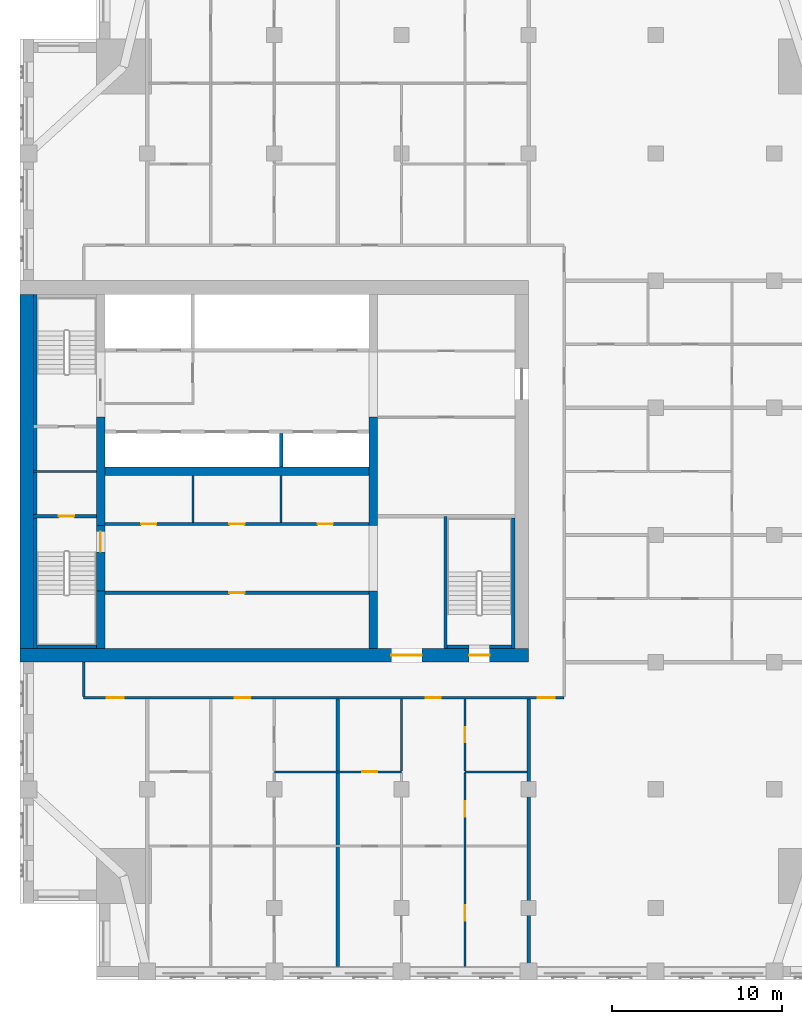
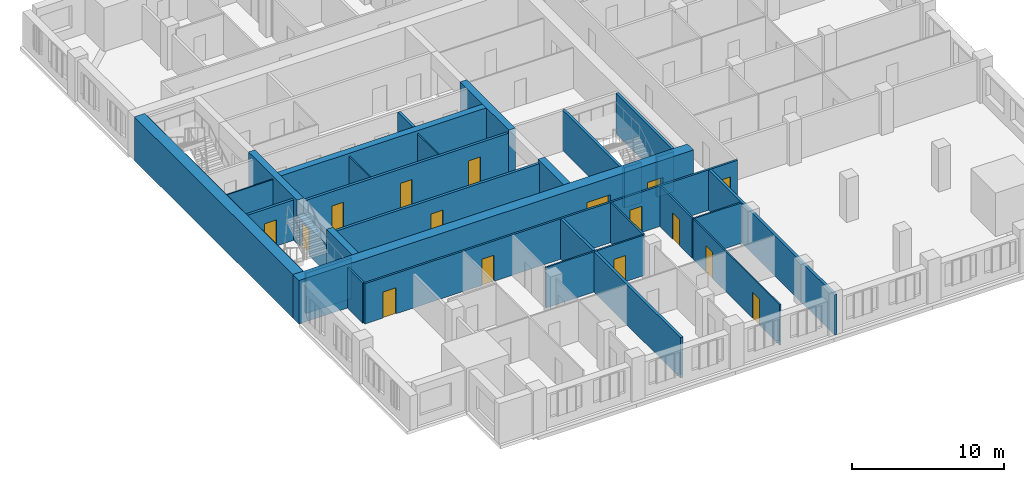
# One storey, part 7 of 14: 30 walls, 16 doors, 16 openings.
"""IFC4 building model written with IfcOpenShell, lengths in metres."""

from ifc_helpers import new_model, si_unit, direction, frame, frame_2d, origin, place, context, subcontext, project, spatial, rectangle, extrude, material, layer, layer_set, type_object, element, fill, save


model = new_model("IFC4")

# Units and contexts
model_context = context("Model", 3, precision=1e-05, world=origin(), true_north=direction((0.0, 1.0)))
body_context = subcontext(model_context, "Body", "Model", "MODEL_VIEW")
ifc_project = project(units=[si_unit("LENGTHUNIT", "METRE"), si_unit("AREAUNIT", "SQUARE_METRE"), si_unit("VOLUMEUNIT", "CUBIC_METRE"), si_unit("PLANEANGLEUNIT", "RADIAN"), si_unit("MASSUNIT", "GRAM", prefix="KILO")], contexts=[model_context])

# Site, building, storey
site_placement = place(None, origin())
site = spatial("IfcSite", under=ifc_project, at=site_placement, CompositionType="ELEMENT")
building_placement = place(site_placement, origin())
building = spatial("IfcBuilding", under=site, at=building_placement, Name="Tamorin Gate", CompositionType="ELEMENT")
storey_placement = place(building_placement, frame((0.0, 0.0, 182.699951171875)))
storey = spatial("IfcBuildingStorey", under=building, at=storey_placement, Name="L44", CompositionType="ELEMENT", Elevation=182.699951171875)

# Wall, openings, doors
ifc_material_1 = material(Name="Gypsum board partition")
ifc_layer_1 = layer(ifc_material_1, 0.14990234375)
ifc_layer_set_1 = layer_set([ifc_layer_1], Name="Corridor wall 150")
wall_type_1 = type_object("IfcWallType", Name="Corridor wall 150", PredefinedType="PARTITIONING", material=ifc_layer_set_1)
wall_1_placement = place(storey_placement, frame((33.75, 57.89990234375, 0.0), z_axis=(0.0, 0.0, 1.0), x_axis=(1.0, 0.0, 0.0)))
wall_1 = element("IfcWall", 1, at=wall_1_placement, inside=storey, type_object=wall_type_1, Name="Corridor wall 150", PredefinedType="PARTITIONING", context=body_context, shape_type="SweptSolid", body=[
    extrude(rectangle(XDim=28.35009765625, YDim=0.14990234375, at=frame_2d((14.175048828125, 0.0))), origin(), (0.0, 0.0, 1.0), 3.25),
])
opening_1_placement = place(wall_1_placement, frame((1.375, 0.0, 0.0)))
opening_1 = element("IfcOpeningElement", 2, at=opening_1_placement, cuts=wall_1, Name="Opening DR2001", PredefinedType="OPENING", context=body_context, shape_type="SweptSolid", body=[
    extrude(rectangle(XDim=1.0, YDim=2.10009765625, at=frame_2d((0.5, 1.050048828125))), frame((0.0, 0.0849609375, 0.0), z_axis=(0.0, -1.0, 0.0), x_axis=(1.0, 0.0, 0.0)), (0.0, 0.0, 1.0), 0.169921875),
])
opening_2_placement = place(wall_1_placement, frame((8.925048828125, 0.0, 0.0)))
opening_2 = element("IfcOpeningElement", 3, at=opening_2_placement, cuts=wall_1, Name="Opening DR2004", PredefinedType="OPENING", context=body_context, shape_type="SweptSolid", body=[
    extrude(rectangle(XDim=0.89990234375, YDim=2.10009765625, at=frame_2d((0.449951171875, 1.050048828125))), frame((0.0, 0.0849609375, 0.0), z_axis=(0.0, -1.0, 0.0), x_axis=(1.0, 0.0, 0.0)), (0.0, 0.0, 1.0), 0.169921875),
])
opening_3_placement = place(wall_1_placement, frame((20.175048828125, 0.0, 0.0)))
opening_3 = element("IfcOpeningElement", 4, at=opening_3_placement, cuts=wall_1, Name="Opening DR2012", PredefinedType="OPENING", context=body_context, shape_type="SweptSolid", body=[
    extrude(rectangle(XDim=0.89990234375, YDim=2.10009765625, at=frame_2d((0.449951171875, 1.050048828125))), frame((0.0, 0.0849609375, 0.0), z_axis=(0.0, -1.0, 0.0), x_axis=(1.0, 0.0, 0.0)), (0.0, 0.0, 1.0), 0.169921875),
])
opening_4_placement = place(wall_1_placement, frame((26.800048828125, 0.0, 0.0)))
opening_4 = element("IfcOpeningElement", 5, at=opening_4_placement, cuts=wall_1, Name="Opening DR2018", PredefinedType="OPENING", context=body_context, shape_type="SweptSolid", body=[
    extrude(rectangle(XDim=1.0, YDim=2.10009765625, at=frame_2d((0.5, 1.050048828125))), frame((0.0, 0.0849609375, 0.0), z_axis=(0.0, -1.0, 0.0), x_axis=(1.0, 0.0, 0.0)), (0.0, 0.0, 1.0), 0.169921875),
])
ifc_material_2 = material(Name="Timber door leaf", Category="wood")
door_type_1 = type_object("IfcDoorType", Name="Door 1000 x 2100 FD30S", OperationType="NOTDEFINED", PredefinedType="DOOR", material=ifc_material_2)
door_1_placement = place(opening_1_placement, origin())
door_1 = element("IfcDoor", 6, at=door_1_placement, inside=storey, type_object=door_type_1, Name="Door DR2001", OperationType="SINGLE_SWING_RIGHT", OverallHeight=2.10009765625, OverallWidth=1.0, PredefinedType="DOOR", context=body_context, shape_type="SweptSolid", body=[
    extrude(rectangle(XDim=1.0, YDim=2.10009765625, at=frame_2d((0.5, 1.050048828125))), frame((0.0, 0.02490234375, 0.0), z_axis=(0.0, -1.0, 0.0), x_axis=(1.0, 0.0, 0.0)), (0.0, 0.0, 1.0), 0.050048828125),
])
fill(opening_1, door_1)
door_2_placement = place(opening_4_placement, origin())
door_2 = element("IfcDoor", 7, at=door_2_placement, inside=storey, type_object=door_type_1, Name="Door DR2018", OperationType="SINGLE_SWING_RIGHT", OverallHeight=2.10009765625, OverallWidth=1.0, PredefinedType="DOOR", context=body_context, shape_type="SweptSolid", body=[
    extrude(rectangle(XDim=1.0, YDim=2.10009765625, at=frame_2d((0.5, 1.050048828125))), frame((0.0, 0.02490234375, 0.0), z_axis=(0.0, -1.0, 0.0), x_axis=(1.0, 0.0, 0.0)), (0.0, 0.0, 1.0), 0.050048828125),
])
fill(opening_4, door_2)
door_type_2 = type_object("IfcDoorType", Name="Door 900 x 2100 FD30S", OperationType="NOTDEFINED", PredefinedType="DOOR", material=ifc_material_2)
door_3_placement = place(opening_2_placement, origin())
door_3 = element("IfcDoor", 8, at=door_3_placement, inside=storey, type_object=door_type_2, Name="Door DR2004", OperationType="SINGLE_SWING_RIGHT", OverallHeight=2.10009765625, OverallWidth=0.89990234375, PredefinedType="DOOR", context=body_context, shape_type="SweptSolid", body=[
    extrude(rectangle(XDim=0.89990234375, YDim=2.10009765625, at=frame_2d((0.449951171875, 1.050048828125))), frame((0.0, 0.02490234375, 0.0), z_axis=(0.0, -1.0, 0.0), x_axis=(1.0, 0.0, 0.0)), (0.0, 0.0, 1.0), 0.050048828125),
])
fill(opening_2, door_3)
door_4_placement = place(opening_3_placement, origin())
door_4 = element("IfcDoor", 9, at=door_4_placement, inside=storey, type_object=door_type_2, Name="Door DR2012", OperationType="SINGLE_SWING_RIGHT", OverallHeight=2.10009765625, OverallWidth=0.89990234375, PredefinedType="DOOR", context=body_context, shape_type="SweptSolid", body=[
    extrude(rectangle(XDim=0.89990234375, YDim=2.10009765625, at=frame_2d((0.449951171875, 1.050048828125))), frame((0.0, 0.02490234375, 0.0), z_axis=(0.0, -1.0, 0.0), x_axis=(1.0, 0.0, 0.0)), (0.0, 0.0, 1.0), 0.050048828125),
])
fill(opening_3, door_4)

# Walls
wall_2_placement = place(storey_placement, frame((33.75, 57.97509765625, 0.0), z_axis=(0.0, 0.0, 1.0), x_axis=(0.0, 1.0, 0.0)))
element("IfcWall", 10, at=wall_2_placement, inside=storey, type_object=wall_type_1, Name="Corridor wall 150", PredefinedType="PARTITIONING", context=body_context, shape_type="SweptSolid", body=[
    extrude(rectangle(XDim=2.02490234375, YDim=0.14990234375, at=frame_2d((1.012451171875, 0.0))), origin(), (0.0, 0.0, 1.0), 3.25),
])
ifc_layer_2 = layer(ifc_material_1, 0.199951171875)
ifc_layer_set_2 = layer_set([ifc_layer_2], Name="Demising wall 200")
wall_type_2 = type_object("IfcWallType", Name="Demising wall 200", PredefinedType="PARTITIONING", material=ifc_layer_set_2)
wall_3_placement = place(storey_placement, frame((48.75, 42.06005859375, 0.0), z_axis=(0.0, 0.0, 1.0), x_axis=(0.0, 1.0, 0.0)))
element("IfcWall", 11, at=wall_3_placement, inside=storey, type_object=wall_type_2, Name="Demising wall 200", PredefinedType="PARTITIONING", context=body_context, shape_type="SweptSolid", body=[
    extrude(rectangle(XDim=15.764892578125, YDim=0.199951171875, at=frame_2d((7.88232421875, 0.0))), origin(), (0.0, 0.0, 1.0), 3.25),
])
wall_4_placement = place(storey_placement, frame((60.0, 41.25, 0.0), z_axis=(0.0, 0.0, 1.0), x_axis=(0.0, 1.0, 0.0)))
element("IfcWall", 12, at=wall_4_placement, inside=storey, type_object=wall_type_2, Name="Demising wall 200", PredefinedType="PARTITIONING", context=body_context, shape_type="SweptSolid", body=[
    extrude(rectangle(XDim=16.574951171875, YDim=0.199951171875, at=frame_2d((8.28759765625, 0.0))), origin(), (0.0, 0.0, 1.0), 3.25),
])
ifc_material_3 = material(Name="Concrete C32/40", Category="concrete")
ifc_layer_3 = layer(ifc_material_3, 0.199951171875)
ifc_layer_set_3 = layer_set([ifc_layer_3], Name="Lift shaft wall 200 EI 120")
wall_type_3 = type_object("IfcWallType", Name="Lift shaft wall 200 EI 120", PredefinedType="SOLIDWALL", material=ifc_layer_set_3)
wall_5_placement = place(storey_placement, frame((45.39990234375, 71.5, 0.0), z_axis=(0.0, 0.0, 1.0), x_axis=(0.0, 1.0, 0.0)))
element("IfcWall", 13, at=wall_5_placement, inside=storey, type_object=wall_type_3, Name="Lift shaft wall", PredefinedType="SOLIDWALL", context=body_context, shape_type="SweptSolid", body=[
    extrude(rectangle(XDim=2.0, YDim=0.199951171875, at=frame_2d((1.0, 0.0))), origin(), (0.0, 0.0, 1.0), 3.5),
])
ifc_material_4 = material(Name="Concrete C60/75", Category="concrete")
ifc_layer_4 = layer(ifc_material_4, 0.5)
ifc_layer_set_4 = layer_set([ifc_layer_4], Name="RC core internal wall 500 C60/75")
wall_type_4 = type_object("IfcWallType", Name="RC core internal wall 500 C60/75", PredefinedType="SHEAR", material=ifc_layer_set_4)
wall_6_placement = place(storey_placement, frame((35.0, 71.25, 0.0), z_axis=(0.0, 0.0, 1.0), x_axis=(1.0, 0.0, 0.0)))
element("IfcWall", 14, at=wall_6_placement, inside=storey, type_object=wall_type_4, Name="Core spine wall L44", PredefinedType="SHEAR", context=body_context, shape_type="SweptSolid", body=[
    extrude(rectangle(XDim=15.60009765625, YDim=0.5, at=frame_2d((7.800048828125, 0.0))), origin(), (0.0, 0.0, 1.0), 3.5),
])
wall_7_placement = place(storey_placement, frame((34.75, 60.800048828125, 0.0), z_axis=(0.0, 0.0, 1.0), x_axis=(0.0, 1.0, 0.0)))
element("IfcWall", 15, at=wall_7_placement, inside=storey, type_object=wall_type_4, Name="Core cross wall L44", PredefinedType="SHEAR", context=body_context, shape_type="SweptSolid", body=[
    extrude(rectangle(XDim=3.39990234375, YDim=0.5, at=frame_2d((1.699951171875, 0.0))), origin(), (0.0, 0.0, 1.0), 3.5),
])
wall_8_placement = place(storey_placement, frame((34.75, 68.050048828125, 0.0), z_axis=(0.0, 0.0, 1.0), x_axis=(0.0, 1.0, 0.0)))
element("IfcWall", 16, at=wall_8_placement, inside=storey, type_object=wall_type_4, Name="Core cross wall L44", PredefinedType="SHEAR", context=body_context, shape_type="SweptSolid", body=[
    extrude(rectangle(XDim=6.39990234375, YDim=0.5, at=frame_2d((3.199951171875, 0.0))), origin(), (0.0, 0.0, 1.0), 3.5),
])
wall_9_placement = place(storey_placement, frame((50.85009765625, 60.800048828125, 0.0), z_axis=(0.0, 0.0, 1.0), x_axis=(0.0, 1.0, 0.0)))
element("IfcWall", 17, at=wall_9_placement, inside=storey, type_object=wall_type_4, Name="Core cross wall L44", PredefinedType="SHEAR", context=body_context, shape_type="SweptSolid", body=[
    extrude(rectangle(XDim=3.39990234375, YDim=0.5, at=frame_2d((1.699951171875, 0.0))), origin(), (0.0, 0.0, 1.0), 3.5),
])
wall_10_placement = place(storey_placement, frame((50.85009765625, 68.050048828125, 0.0), z_axis=(0.0, 0.0, 1.0), x_axis=(0.0, 1.0, 0.0)))
element("IfcWall", 18, at=wall_10_placement, inside=storey, type_object=wall_type_4, Name="Core cross wall L44", PredefinedType="SHEAR", context=body_context, shape_type="SweptSolid", body=[
    extrude(rectangle(XDim=6.39990234375, YDim=0.5, at=frame_2d((3.199951171875, 0.0))), origin(), (0.0, 0.0, 1.0), 3.5),
])

# Wall, openings, doors
ifc_layer_5 = layer(ifc_material_4, 0.800048828125)
ifc_layer_set_5 = layer_set([ifc_layer_5], Name="RC core wall 800 C60/75")
wall_type_5 = type_object("IfcWallType", Name="RC core wall 800 C60/75", PredefinedType="SHEAR", material=ifc_layer_set_5)
wall_11_placement = place(storey_placement, frame((30.0, 60.39990234375, 0.0), z_axis=(0.0, 0.0, 1.0), x_axis=(1.0, 0.0, 0.0)))
wall_11 = element("IfcWall", 19, at=wall_11_placement, inside=storey, type_object=wall_type_5, Name="Core wall L44", PredefinedType="SHEAR", context=body_context, shape_type="SweptSolid", body=[
    extrude(rectangle(XDim=30.0, YDim=0.800048828125, at=frame_2d((15.0, 0.0))), origin(), (0.0, 0.0, 1.0), 3.5),
])
opening_5_placement = place(wall_11_placement, frame((21.89990234375, 0.0, 0.0)))
opening_5 = element("IfcOpeningElement", 20, at=opening_5_placement, cuts=wall_11, Name="Opening DE1", PredefinedType="OPENING", context=body_context, shape_type="SweptSolid", body=[
    extrude(rectangle(XDim=1.800048828125, YDim=2.10009765625, at=frame_2d((0.89990234375, 1.050048828125))), frame((0.0, 0.409912109375, 0.0), z_axis=(0.0, -1.0, 0.0), x_axis=(1.0, 0.0, 0.0)), (0.0, 0.0, 1.0), 0.820068359375),
])
opening_6_placement = place(wall_11_placement, frame((26.5, 0.0, 0.0)))
opening_6 = element("IfcOpeningElement", 21, at=opening_6_placement, cuts=wall_11, Name="Opening DS1", PredefinedType="OPENING", context=body_context, shape_type="SweptSolid", body=[
    extrude(rectangle(XDim=1.199951171875, YDim=2.10009765625, at=frame_2d((0.60009765625, 1.050048828125))), frame((0.0, 0.409912109375, 0.0), z_axis=(0.0, -1.0, 0.0), x_axis=(1.0, 0.0, 0.0)), (0.0, 0.0, 1.0), 0.820068359375),
])
ifc_material_5 = material(Name="Steel fire door", Category="steel")
door_type_3 = type_object("IfcDoorType", Name="Lobby exit double door 1800 x 2100 EI 60", OperationType="DOUBLE_DOOR_SINGLE_SWING", PredefinedType="DOOR", material=ifc_material_5)
door_5_placement = place(opening_5_placement, origin())
door_5 = element("IfcDoor", 22, at=door_5_placement, inside=storey, type_object=door_type_3, Name="Lift lobby A exit door", OperationType="DOUBLE_DOOR_SINGLE_SWING", OverallHeight=2.10009765625, OverallWidth=1.800048828125, PredefinedType="DOOR", context=body_context, shape_type="SweptSolid", body=[
    extrude(rectangle(XDim=1.800048828125, YDim=2.10009765625, at=frame_2d((0.89990234375, 1.050048828125))), frame((0.0, 0.02490234375, 0.0), z_axis=(0.0, -1.0, 0.0), x_axis=(1.0, 0.0, 0.0)), (0.0, 0.0, 1.0), 0.050048828125),
])
fill(opening_5, door_5)
door_type_4 = type_object("IfcDoorType", Name="Stair door 1200 x 2100 EI 90", OperationType="SINGLE_SWING_LEFT", PredefinedType="DOOR", material=ifc_material_5)
door_6_placement = place(opening_6_placement, origin())
door_6 = element("IfcDoor", 23, at=door_6_placement, inside=storey, type_object=door_type_4, Name="ST3 door", OperationType="SINGLE_SWING_LEFT", OverallHeight=2.10009765625, OverallWidth=1.199951171875, PredefinedType="DOOR", context=body_context, shape_type="SweptSolid", body=[
    extrude(rectangle(XDim=1.199951171875, YDim=2.10009765625, at=frame_2d((0.60009765625, 1.050048828125))), frame((0.0, 0.02490234375, 0.0), z_axis=(0.0, -1.0, 0.0), x_axis=(1.0, 0.0, 0.0)), (0.0, 0.0, 1.0), 0.050048828125),
])
fill(opening_6, door_6)

# Walls
wall_12_placement = place(storey_placement, frame((30.39990234375, 60.800048828125, 0.0), z_axis=(0.0, 0.0, 1.0), x_axis=(0.0, 1.0, 0.0)))
element("IfcWall", 24, at=wall_12_placement, inside=storey, type_object=wall_type_5, Name="Core wall L44", PredefinedType="SHEAR", context=body_context, shape_type="SweptSolid", body=[
    extrude(rectangle(XDim=20.89990234375, YDim=0.800048828125, at=frame_2d((10.449951171875, 0.0))), origin(), (0.0, 0.0, 1.0), 3.5),
])
ifc_material_6 = material(Name="Fire-rated gypsum board partition")
ifc_layer_6 = layer(ifc_material_6, 0.10009765625)
ifc_layer_set_6 = layer_set([ifc_layer_6], Name="Riser partition 100 EI 120")
wall_type_6 = type_object("IfcWallType", Name="Riser partition 100 EI 120", PredefinedType="PARTITIONING", material=ifc_layer_set_6)
wall_13_placement = place(storey_placement, frame((30.800048828125, 71.25, 0.0), z_axis=(0.0, 0.0, 1.0), x_axis=(1.0, 0.0, 0.0)))
element("IfcWall", 25, at=wall_13_placement, inside=storey, type_object=wall_type_6, Name="Riser partition", PredefinedType="PARTITIONING", context=body_context, shape_type="SweptSolid", body=[
    extrude(rectangle(XDim=3.699951171875, YDim=0.10009765625, at=frame_2d((1.85009765625, 0.0))), origin(), (0.0, 0.0, 1.0), 3.25),
])

# Wall, openings, doors
ifc_layer_7 = layer(ifc_material_1, 0.10009765625)
ifc_layer_set_7 = layer_set([ifc_layer_7], Name="Room partition 100")
wall_type_7 = type_object("IfcWallType", Name="Room partition 100", PredefinedType="PARTITIONING", material=ifc_layer_set_7)
wall_14_placement = place(storey_placement, frame((56.25, 42.06005859375, 0.0), z_axis=(0.0, 0.0, 1.0), x_axis=(0.0, 1.0, 0.0)))
wall_14 = element("IfcWall", 26, at=wall_14_placement, inside=storey, type_object=wall_type_7, Name="Room partition 100", PredefinedType="PARTITIONING", context=body_context, shape_type="SweptSolid", body=[
    extrude(rectangle(XDim=11.40234375, YDim=0.10009765625, at=frame_2d((5.701171875, 0.0))), origin(), (0.0, 0.0, 1.0), 3.25),
])
opening_7_placement = place(wall_14_placement, frame((8.827392578125, 0.0, 0.0)))
opening_7 = element("IfcOpeningElement", 27, at=opening_7_placement, cuts=wall_14, Name="Opening DR2014", PredefinedType="OPENING", context=body_context, shape_type="SweptSolid", body=[
    extrude(rectangle(XDim=0.89990234375, YDim=2.10009765625, at=frame_2d((0.449951171875, 1.050048828125))), frame((0.0, 0.06005859375, 0.0), z_axis=(0.0, -1.0, 0.0), x_axis=(1.0, 0.0, 0.0)), (0.0, 0.0, 1.0), 0.1201171875),
])
opening_8_placement = place(wall_14_placement, frame((2.68994140625, 0.0, 0.0)))
opening_8 = element("IfcOpeningElement", 28, at=opening_8_placement, cuts=wall_14, Name="Opening DR2017", PredefinedType="OPENING", context=body_context, shape_type="SweptSolid", body=[
    extrude(rectangle(XDim=0.89990234375, YDim=2.10009765625, at=frame_2d((0.449951171875, 1.050048828125))), frame((0.0, 0.06005859375, 0.0), z_axis=(0.0, -1.0, 0.0), x_axis=(1.0, 0.0, 0.0)), (0.0, 0.0, 1.0), 0.1201171875),
])
door_type_5 = type_object("IfcDoorType", Name="Door 900 x 2100", OperationType="NOTDEFINED", PredefinedType="DOOR", material=ifc_material_2)
door_7_placement = place(opening_7_placement, origin())
door_7 = element("IfcDoor", 29, at=door_7_placement, inside=storey, type_object=door_type_5, Name="Door DR2014", OperationType="SINGLE_SWING_RIGHT", OverallHeight=2.10009765625, OverallWidth=0.89990234375, PredefinedType="DOOR", context=body_context, shape_type="SweptSolid", body=[
    extrude(rectangle(XDim=0.89990234375, YDim=2.10009765625, at=frame_2d((0.449951171875, 1.050048828125))), frame((0.0, 0.02490234375, 0.0), z_axis=(0.0, -1.0, 0.0), x_axis=(1.0, 0.0, 0.0)), (0.0, 0.0, 1.0), 0.050048828125),
])
fill(opening_7, door_7)
door_8_placement = place(opening_8_placement, origin())
door_8 = element("IfcDoor", 30, at=door_8_placement, inside=storey, type_object=door_type_5, Name="Door DR2017", OperationType="SINGLE_SWING_LEFT", OverallHeight=2.10009765625, OverallWidth=0.89990234375, PredefinedType="DOOR", context=body_context, shape_type="SweptSolid", body=[
    extrude(rectangle(XDim=0.89990234375, YDim=2.10009765625, at=frame_2d((0.449951171875, 1.050048828125))), frame((0.0, 0.02490234375, 0.0), z_axis=(0.0, -1.0, 0.0), x_axis=(1.0, 0.0, 0.0)), (0.0, 0.0, 1.0), 0.050048828125),
])
fill(opening_8, door_8)

# Wall, opening, door
ifc_layer_8 = layer(ifc_material_1, 0.199951171875)
ifc_layer_set_8 = layer_set([ifc_layer_8], Name="Service room face wall 200 EI 60")
wall_type_8 = type_object("IfcWallType", Name="Service room face wall 200 EI 60", PredefinedType="PARTITIONING", material=ifc_layer_set_8)
wall_15_placement = place(storey_placement, frame((35.0, 64.10009765625, 0.0), z_axis=(0.0, 0.0, 1.0), x_axis=(1.0, 0.0, 0.0)))
wall_15 = element("IfcWall", 31, at=wall_15_placement, inside=storey, type_object=wall_type_8, Name="Service room face wall", PredefinedType="PARTITIONING", context=body_context, shape_type="SweptSolid", body=[
    extrude(rectangle(XDim=15.60009765625, YDim=0.199951171875, at=frame_2d((7.800048828125, 0.0))), origin(), (0.0, 0.0, 1.0), 3.25),
])
opening_9_placement = place(wall_15_placement, frame((7.35009765625, 0.0, 0.0)))
opening_9 = element("IfcOpeningElement", 32, at=opening_9_placement, cuts=wall_15, Name="Opening DK1", PredefinedType="OPENING", context=body_context, shape_type="SweptSolid", body=[
    extrude(rectangle(XDim=0.89990234375, YDim=2.10009765625, at=frame_2d((0.449951171875, 1.050048828125))), frame((0.0, 0.10986328125, 0.0), z_axis=(0.0, -1.0, 0.0), x_axis=(1.0, 0.0, 0.0)), (0.0, 0.0, 1.0), 0.219970703125),
])
ifc_material_7 = material(Name="Timber fire door", Category="wood")
door_type_6 = type_object("IfcDoorType", Name="Service room door 900 x 2100 EI 60", OperationType="SINGLE_SWING_LEFT", PredefinedType="DOOR", material=ifc_material_7)
door_9_placement = place(opening_9_placement, origin())
door_9 = element("IfcDoor", 33, at=door_9_placement, inside=storey, type_object=door_type_6, Name="Door Resident storage room", OperationType="SINGLE_SWING_RIGHT", OverallHeight=2.10009765625, OverallWidth=0.89990234375, PredefinedType="DOOR", context=body_context, shape_type="SweptSolid", body=[
    extrude(rectangle(XDim=0.89990234375, YDim=2.10009765625, at=frame_2d((0.449951171875, 1.050048828125))), frame((0.0, 0.02490234375, 0.0), z_axis=(0.0, -1.0, 0.0), x_axis=(1.0, 0.0, 0.0)), (0.0, 0.0, 1.0), 0.050048828125),
])
fill(opening_9, door_9)

# Wall, openings, doors
wall_16_placement = place(storey_placement, frame((35.0, 68.14990234375, 0.0), z_axis=(0.0, 0.0, 1.0), x_axis=(1.0, 0.0, 0.0)))
wall_16 = element("IfcWall", 34, at=wall_16_placement, inside=storey, type_object=wall_type_8, Name="Service room face wall", PredefinedType="PARTITIONING", context=body_context, shape_type="SweptSolid", body=[
    extrude(rectangle(XDim=15.60009765625, YDim=0.199951171875, at=frame_2d((7.800048828125, 0.0))), origin(), (0.0, 0.0, 1.0), 3.25),
])
opening_10_placement = place(wall_16_placement, frame((2.14990234375, 0.0, 0.0)))
opening_10 = element("IfcOpeningElement", 35, at=opening_10_placement, cuts=wall_16, Name="Opening DK1", PredefinedType="OPENING", context=body_context, shape_type="SweptSolid", body=[
    extrude(rectangle(XDim=0.89990234375, YDim=2.10009765625, at=frame_2d((0.449951171875, 1.050048828125))), frame((0.0, 0.10986328125, 0.0), z_axis=(0.0, -1.0, 0.0), x_axis=(1.0, 0.0, 0.0)), (0.0, 0.0, 1.0), 0.219970703125),
])
opening_11_placement = place(wall_16_placement, frame((7.35009765625, 0.0, 0.0)))
opening_11 = element("IfcOpeningElement", 36, at=opening_11_placement, cuts=wall_16, Name="Opening DK1", PredefinedType="OPENING", context=body_context, shape_type="SweptSolid", body=[
    extrude(rectangle(XDim=0.89990234375, YDim=2.10009765625, at=frame_2d((0.449951171875, 1.050048828125))), frame((0.0, 0.10986328125, 0.0), z_axis=(0.0, -1.0, 0.0), x_axis=(1.0, 0.0, 0.0)), (0.0, 0.0, 1.0), 0.219970703125),
])
opening_12_placement = place(wall_16_placement, frame((12.550048828125, 0.0, 0.0)))
opening_12 = element("IfcOpeningElement", 37, at=opening_12_placement, cuts=wall_16, Name="Opening DK1", PredefinedType="OPENING", context=body_context, shape_type="SweptSolid", body=[
    extrude(rectangle(XDim=0.89990234375, YDim=2.10009765625, at=frame_2d((0.449951171875, 1.050048828125))), frame((0.0, 0.10986328125, 0.0), z_axis=(0.0, -1.0, 0.0), x_axis=(1.0, 0.0, 0.0)), (0.0, 0.0, 1.0), 0.219970703125),
])
door_10_placement = place(opening_10_placement, origin())
door_10 = element("IfcDoor", 38, at=door_10_placement, inside=storey, type_object=door_type_6, Name="Door Cleaner's store", OperationType="SINGLE_SWING_RIGHT", OverallHeight=2.10009765625, OverallWidth=0.89990234375, PredefinedType="DOOR", context=body_context, shape_type="SweptSolid", body=[
    extrude(rectangle(XDim=0.89990234375, YDim=2.10009765625, at=frame_2d((0.449951171875, 1.050048828125))), frame((0.0, 0.02490234375, 0.0), z_axis=(0.0, -1.0, 0.0), x_axis=(1.0, 0.0, 0.0)), (0.0, 0.0, 1.0), 0.050048828125),
])
fill(opening_10, door_10)
door_11_placement = place(opening_11_placement, origin())
door_11 = element("IfcDoor", 39, at=door_11_placement, inside=storey, type_object=door_type_6, Name="Door Pantry", OperationType="SINGLE_SWING_LEFT", OverallHeight=2.10009765625, OverallWidth=0.89990234375, PredefinedType="DOOR", context=body_context, shape_type="SweptSolid", body=[
    extrude(rectangle(XDim=0.89990234375, YDim=2.10009765625, at=frame_2d((0.449951171875, 1.050048828125))), frame((0.0, 0.02490234375, 0.0), z_axis=(0.0, -1.0, 0.0), x_axis=(1.0, 0.0, 0.0)), (0.0, 0.0, 1.0), 0.050048828125),
])
fill(opening_11, door_11)
door_12_placement = place(opening_12_placement, origin())
door_12 = element("IfcDoor", 40, at=door_12_placement, inside=storey, type_object=door_type_6, Name="Door IT room", OperationType="SINGLE_SWING_RIGHT", OverallHeight=2.10009765625, OverallWidth=0.89990234375, PredefinedType="DOOR", context=body_context, shape_type="SweptSolid", body=[
    extrude(rectangle(XDim=0.89990234375, YDim=2.10009765625, at=frame_2d((0.449951171875, 1.050048828125))), frame((0.0, 0.02490234375, 0.0), z_axis=(0.0, -1.0, 0.0), x_axis=(1.0, 0.0, 0.0)), (0.0, 0.0, 1.0), 0.050048828125),
])
fill(opening_12, door_12)

# Walls
ifc_layer_9 = layer(ifc_material_1, 0.10009765625)
ifc_layer_set_9 = layer_set([ifc_layer_9], Name="Service room partition 100 EI 60")
wall_type_9 = type_object("IfcWallType", Name="Service room partition 100 EI 60", PredefinedType="PARTITIONING", material=ifc_layer_set_9)
for number, where, z_axis, x_axis, name in (
    (41, (40.199951171875, 68.25, 0.0), (0.0, 0.0, 1.0), (0.0, 1.0, 0.0), "Service room partition"),
    (42, (45.39990234375, 68.25, 0.0), (0.0, 0.0, 1.0), (0.0, 1.0, 0.0), "Service room partition"),
):
    element("IfcWall", number, at=place(storey_placement, frame(where, z_axis=z_axis, x_axis=x_axis)), inside=storey, type_object=wall_type_9, Name=name, PredefinedType="PARTITIONING", context=body_context, shape_type="SweptSolid", body=[
        extrude(rectangle(XDim=2.75, YDim=0.10009765625, at=frame_2d((1.375, 0.0))), origin(), (0.0, 0.0, 1.0), 3.25),
    ])

# Wall, opening, door
ifc_material_8 = material(Name="Concrete C40/50", Category="concrete")
ifc_layer_10 = layer(ifc_material_8, 0.199951171875)
ifc_layer_set_10 = layer_set([ifc_layer_10], Name="Stair enclosure wall 200 EI 120 C40/50")
wall_type_10 = type_object("IfcWallType", Name="Stair enclosure wall 200 EI 120 C40/50", PredefinedType="SOLIDWALL", material=ifc_layer_set_10)
wall_17_placement = place(storey_placement, frame((30.800048828125, 68.60009765625, 0.0), z_axis=(0.0, 0.0, 1.0), x_axis=(1.0, 0.0, 0.0)))
wall_17 = element("IfcWall", 43, at=wall_17_placement, inside=storey, type_object=wall_type_10, Name="Stair enclosure wall", PredefinedType="SOLIDWALL", context=body_context, shape_type="SweptSolid", body=[
    extrude(rectangle(XDim=3.699951171875, YDim=0.199951171875, at=frame_2d((1.85009765625, 0.0))), origin(), (0.0, 0.0, 1.0), 3.25),
])
opening_13_placement = place(wall_17_placement, frame((1.5, 0.0, 0.0)))
opening_13 = element("IfcOpeningElement", 44, at=opening_13_placement, cuts=wall_17, Name="Opening DR1", PredefinedType="OPENING", context=body_context, shape_type="SweptSolid", body=[
    extrude(rectangle(XDim=0.89990234375, YDim=2.10009765625, at=frame_2d((0.449951171875, 1.050048828125))), frame((0.0, 0.10986328125, 0.0), z_axis=(0.0, -1.0, 0.0), x_axis=(1.0, 0.0, 0.0)), (0.0, 0.0, 1.0), 0.219970703125),
])
door_type_7 = type_object("IfcDoorType", Name="Riser access door 900 x 2100 EI 120", OperationType="SINGLE_SWING_LEFT", PredefinedType="DOOR", material=ifc_material_5)
door_13_placement = place(opening_13_placement, origin())
door_13 = element("IfcDoor", 45, at=door_13_placement, inside=storey, type_object=door_type_7, Name="Electrical riser door", OperationType="SINGLE_SWING_LEFT", OverallHeight=2.10009765625, OverallWidth=0.89990234375, PredefinedType="DOOR", context=body_context, shape_type="SweptSolid", body=[
    extrude(rectangle(XDim=0.89990234375, YDim=2.10009765625, at=frame_2d((0.449951171875, 1.050048828125))), frame((0.0, 0.02490234375, 0.0), z_axis=(0.0, -1.0, 0.0), x_axis=(1.0, 0.0, 0.0)), (0.0, 0.0, 1.0), 0.050048828125),
])
fill(opening_13, door_13)

# Walls
wall_18_placement = place(storey_placement, frame((55.10009765625, 60.800048828125, 0.0), z_axis=(0.0, 0.0, 1.0), x_axis=(0.0, 1.0, 0.0)))
element("IfcWall", 46, at=wall_18_placement, inside=storey, type_object=wall_type_10, Name="Stair enclosure wall", PredefinedType="SOLIDWALL", context=body_context, shape_type="SweptSolid", body=[
    extrude(rectangle(XDim=7.800048828125, YDim=0.199951171875, at=frame_2d((3.89990234375, 0.0))), origin(), (0.0, 0.0, 1.0), 3.25),
])
ifc_layer_11 = layer(ifc_material_4, 0.199951171875)
ifc_layer_set_11 = layer_set([ifc_layer_11], Name="Stair lining wall 200 EI 120 C60/75")
wall_type_11 = type_object("IfcWallType", Name="Stair lining wall 200 EI 120 C60/75", PredefinedType="SOLIDWALL", material=ifc_layer_set_11)
wall_19_placement = place(storey_placement, frame((30.89990234375, 60.800048828125, 0.0), z_axis=(0.0, 0.0, 1.0), x_axis=(0.0, 1.0, 0.0)))
element("IfcWall", 47, at=wall_19_placement, inside=storey, type_object=wall_type_11, Name="Stair lining wall", PredefinedType="SOLIDWALL", context=body_context, shape_type="SweptSolid", body=[
    extrude(rectangle(XDim=20.89990234375, YDim=0.199951171875, at=frame_2d((10.449951171875, 0.0))), origin(), (0.0, 0.0, 1.0), 3.25),
])
wall_20_placement = place(storey_placement, frame((31.0, 60.89990234375, 0.0), z_axis=(0.0, 0.0, 1.0), x_axis=(1.0, 0.0, 0.0)))
element("IfcWall", 48, at=wall_20_placement, inside=storey, type_object=wall_type_11, Name="Stair lining wall", PredefinedType="SOLIDWALL", context=body_context, shape_type="SweptSolid", body=[
    extrude(rectangle(XDim=3.5, YDim=0.199951171875, at=frame_2d((1.75, 0.0))), origin(), (0.0, 0.0, 1.0), 3.25),
])
for number, where, z_axis, x_axis, name in (
    (49, (55.199951171875, 60.89990234375, 0.0), (0.0, 0.0, 1.0), (1.0, 0.0, 0.0), "Stair lining wall"),
    (50, (57.699951171875, 60.89990234375, 0.0), (0.0, 0.0, 1.0), (1.0, 0.0, 0.0), "Stair lining wall"),
):
    element("IfcWall", number, at=place(storey_placement, frame(where, z_axis=z_axis, x_axis=x_axis)), inside=storey, type_object=wall_type_11, Name=name, PredefinedType="SOLIDWALL", context=body_context, shape_type="SweptSolid", body=[
        extrude(rectangle(XDim=1.300048828125, YDim=0.199951171875, at=frame_2d((0.64990234375, 0.0))), origin(), (0.0, 0.0, 1.0), 3.25),
    ])
wall_21_placement = place(storey_placement, frame((59.10009765625, 60.800048828125, 0.0), z_axis=(0.0, 0.0, 1.0), x_axis=(0.0, 1.0, 0.0)))
element("IfcWall", 51, at=wall_21_placement, inside=storey, type_object=wall_type_11, Name="Stair lining wall", PredefinedType="SOLIDWALL", context=body_context, shape_type="SweptSolid", body=[
    extrude(rectangle(XDim=7.699951171875, YDim=0.199951171875, at=frame_2d((3.85009765625, 0.0))), origin(), (0.0, 0.0, 1.0), 3.25),
])

# Wall, opening, door
ifc_layer_12 = layer(ifc_material_3, 0.5)
ifc_layer_set_12 = layer_set([ifc_layer_12], Name="Stair lobby infill wall 500 EI 120")
wall_type_12 = type_object("IfcWallType", Name="Stair lobby infill wall 500 EI 120", PredefinedType="SOLIDWALL", material=ifc_layer_set_12)
wall_22_placement = place(storey_placement, frame((34.75, 64.199951171875, 0.0), z_axis=(0.0, 0.0, 1.0), x_axis=(0.0, 1.0, 0.0)))
wall_22 = element("IfcWall", 52, at=wall_22_placement, inside=storey, type_object=wall_type_12, Name="Stair lobby infill wall", PredefinedType="SOLIDWALL", context=body_context, shape_type="SweptSolid", body=[
    extrude(rectangle(XDim=3.85009765625, YDim=0.5, at=frame_2d((1.925048828125, 0.0))), origin(), (0.0, 0.0, 1.0), 2.300048828125),
])
opening_14_placement = place(wall_22_placement, frame((2.300048828125, 0.0, 0.0)))
opening_14 = element("IfcOpeningElement", 53, at=opening_14_placement, cuts=wall_22, Name="Opening DS1", PredefinedType="OPENING", context=body_context, shape_type="SweptSolid", body=[
    extrude(rectangle(XDim=1.199951171875, YDim=2.10009765625, at=frame_2d((0.60009765625, 1.050048828125))), frame((0.0, 0.260009765625, 0.0), z_axis=(0.0, -1.0, 0.0), x_axis=(1.0, 0.0, 0.0)), (0.0, 0.0, 1.0), 0.52001953125),
])
door_14_placement = place(opening_14_placement, origin())
door_14 = element("IfcDoor", 54, at=door_14_placement, inside=storey, type_object=door_type_4, Name="ST1 door", OperationType="SINGLE_SWING_LEFT", OverallHeight=2.10009765625, OverallWidth=1.199951171875, PredefinedType="DOOR", context=body_context, shape_type="SweptSolid", body=[
    extrude(rectangle(XDim=1.199951171875, YDim=2.10009765625, at=frame_2d((0.60009765625, 1.050048828125))), frame((0.0, 0.02490234375, 0.0), z_axis=(0.0, -1.0, 0.0), x_axis=(1.0, 0.0, 0.0)), (0.0, 0.0, 1.0), 0.050048828125),
])
fill(opening_14, door_14)

ifc_layer_13 = layer(ifc_material_1, 0.125)
ifc_layer_set_13 = layer_set([ifc_layer_13], Name="Wet wall 125")
wall_type_13 = type_object("IfcWallType", Name="Wet wall 125", PredefinedType="PARTITIONING", material=ifc_layer_set_13)
wall_23_placement = place(storey_placement, frame((45.0, 53.52490234375, 0.0), z_axis=(0.0, 0.0, 1.0), x_axis=(1.0, 0.0, 0.0)))
wall_23 = element("IfcWall", 55, at=wall_23_placement, inside=storey, type_object=wall_type_13, Name="Wet wall 125", PredefinedType="PARTITIONING", context=body_context, shape_type="SweptSolid", body=[
    extrude(rectangle(XDim=7.5, YDim=0.125, at=frame_2d((3.75, 0.0))), origin(), (0.0, 0.0, 1.0), 3.25),
])
opening_15_placement = place(wall_23_placement, frame((5.175048828125, 0.0, 0.0)))
opening_15 = element("IfcOpeningElement", 56, at=opening_15_placement, cuts=wall_23, Name="Opening DR2011", PredefinedType="OPENING", context=body_context, shape_type="SweptSolid", body=[
    extrude(rectangle(XDim=0.89990234375, YDim=2.10009765625, at=frame_2d((0.449951171875, 1.050048828125))), frame((0.0, 0.072509765625, 0.0), z_axis=(0.0, -1.0, 0.0), x_axis=(1.0, 0.0, 0.0)), (0.0, 0.0, 1.0), 0.14501953125),
])
door_15_placement = place(opening_15_placement, origin())
door_15 = element("IfcDoor", 57, at=door_15_placement, inside=storey, type_object=door_type_5, Name="Door DR2011", OperationType="SINGLE_SWING_LEFT", OverallHeight=2.10009765625, OverallWidth=0.89990234375, PredefinedType="DOOR", context=body_context, shape_type="SweptSolid", body=[
    extrude(rectangle(XDim=0.89990234375, YDim=2.10009765625, at=frame_2d((0.449951171875, 1.050048828125))), frame((0.0, 0.02490234375, 0.0), z_axis=(0.0, -1.0, 0.0), x_axis=(1.0, 0.0, 0.0)), (0.0, 0.0, 1.0), 0.050048828125),
])
fill(opening_15, door_15)

# Walls
wall_24_placement = place(storey_placement, frame((56.25, 53.52490234375, 0.0), z_axis=(0.0, 0.0, 1.0), x_axis=(1.0, 0.0, 0.0)))
element("IfcWall", 58, at=wall_24_placement, inside=storey, type_object=wall_type_13, Name="Wet wall 125", PredefinedType="PARTITIONING", context=body_context, shape_type="SweptSolid", body=[
    extrude(rectangle(XDim=3.64990234375, YDim=0.125, at=frame_2d((1.824951171875, 0.0))), origin(), (0.0, 0.0, 1.0), 3.25),
])
wall_25_placement = place(storey_placement, frame((52.5, 53.58740234375, 0.0), z_axis=(0.0, 0.0, 1.0), x_axis=(0.0, 1.0, 0.0)))
element("IfcWall", 59, at=wall_25_placement, inside=storey, type_object=wall_type_13, Name="Wet wall 125", PredefinedType="PARTITIONING", context=body_context, shape_type="SweptSolid", body=[
    extrude(rectangle(XDim=4.237548828125, YDim=0.125, at=frame_2d((2.11865234375, 0.0))), origin(), (0.0, 0.0, 1.0), 3.25),
])

# Wall, opening, door
wall_26_placement = place(storey_placement, frame((56.25, 53.58740234375, 0.0), z_axis=(0.0, 0.0, 1.0), x_axis=(0.0, 1.0, 0.0)))
wall_26 = element("IfcWall", 60, at=wall_26_placement, inside=storey, type_object=wall_type_13, Name="Wet wall 125", PredefinedType="PARTITIONING", context=body_context, shape_type="SweptSolid", body=[
    extrude(rectangle(XDim=4.237548828125, YDim=0.125, at=frame_2d((2.11865234375, 0.0))), origin(), (0.0, 0.0, 1.0), 3.25),
])
opening_16_placement = place(wall_26_placement, frame((1.675048828125, 0.0, 0.0)))
opening_16 = element("IfcOpeningElement", 61, at=opening_16_placement, cuts=wall_26, Name="Opening DR2015", PredefinedType="OPENING", context=body_context, shape_type="SweptSolid", body=[
    extrude(rectangle(XDim=0.89990234375, YDim=2.10009765625, at=frame_2d((0.449951171875, 1.050048828125))), frame((0.0, 0.072509765625, 0.0), z_axis=(0.0, -1.0, 0.0), x_axis=(1.0, 0.0, 0.0)), (0.0, 0.0, 1.0), 0.14501953125),
])
door_16_placement = place(opening_16_placement, origin())
door_16 = element("IfcDoor", 62, at=door_16_placement, inside=storey, type_object=door_type_5, Name="Door DR2015", OperationType="SINGLE_SWING_RIGHT", OverallHeight=2.10009765625, OverallWidth=0.89990234375, PredefinedType="DOOR", context=body_context, shape_type="SweptSolid", body=[
    extrude(rectangle(XDim=0.89990234375, YDim=2.10009765625, at=frame_2d((0.449951171875, 1.050048828125))), frame((0.0, 0.02490234375, 0.0), z_axis=(0.0, -1.0, 0.0), x_axis=(1.0, 0.0, 0.0)), (0.0, 0.0, 1.0), 0.050048828125),
])
fill(opening_16, door_16)

save(model, "model.ifc")
